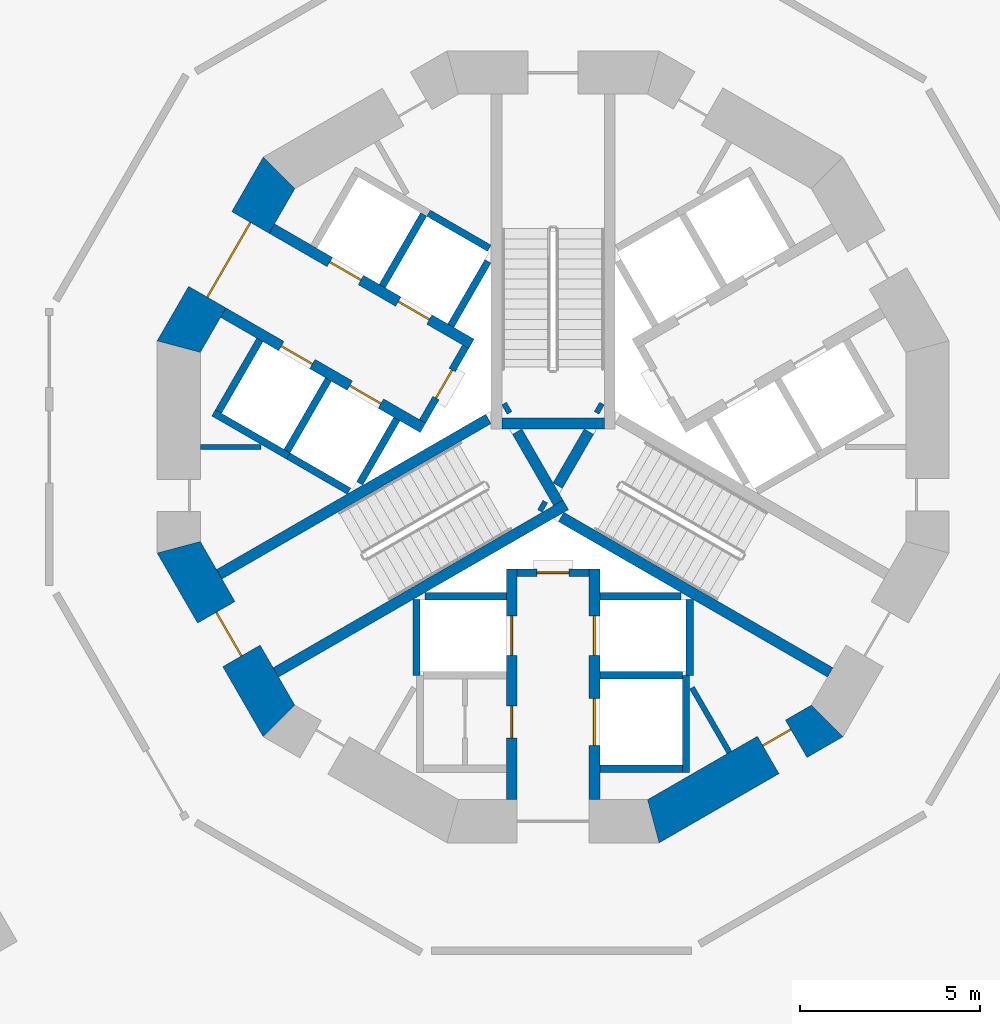
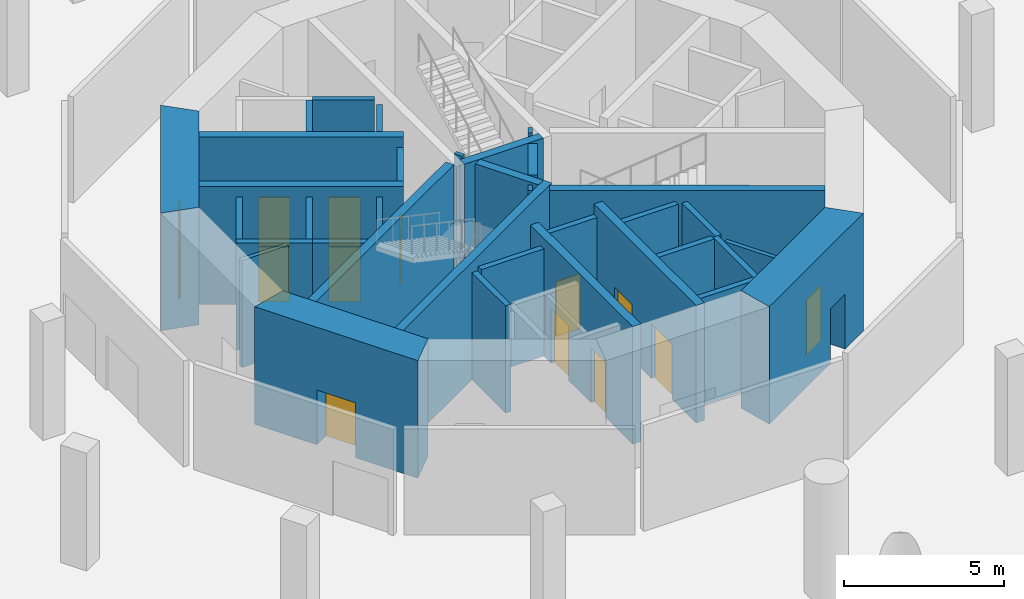
# One storey, part 6 of 21: 35 walls, 13 doors, 13 openings.
"""IFC4 building model written with IfcOpenShell, lengths in metres."""

from ifc_helpers import new_model, si_unit, direction, frame, frame_2d, origin, place, context, subcontext, project, spatial, polyline, rectangle, outline, extrude, material, layer, layer_set, type_object, element, fill, save


model = new_model("IFC4")

# Units and contexts
model_context = context("Model", 3, precision=1e-05, world=origin(), true_north=direction((0.0, 1.0)))
body_context = subcontext(model_context, "Body", "Model", "MODEL_VIEW")
ifc_project = project(units=[si_unit("LENGTHUNIT", "METRE"), si_unit("AREAUNIT", "SQUARE_METRE"), si_unit("VOLUMEUNIT", "CUBIC_METRE"), si_unit("PLANEANGLEUNIT", "RADIAN"), si_unit("MASSUNIT", "GRAM", prefix="KILO")], contexts=[model_context])

# Site, building, storey
site_placement = place(None, origin())
site = spatial("IfcSite", under=ifc_project, at=site_placement, CompositionType="ELEMENT")
building_placement = place(site_placement, origin())
building = spatial("IfcBuilding", under=site, at=building_placement, Name="Trine Commons Tower", CompositionType="ELEMENT")
storey_placement = place(building_placement, frame((0.0, 0.0, -4.5)))
storey = spatial("IfcBuildingStorey", under=building, at=storey_placement, Name="B1", CompositionType="ELEMENT", Elevation=-4.5)

# Walls
ifc_material_1 = material(Name="Plasterboard partition on steel studs", Category="steel")
ifc_layer_1 = layer(ifc_material_1, 0.14990234375)
ifc_layer_set_1 = layer_set([ifc_layer_1], Name="Plasterboard partition on steel studs")
wall_type_1 = type_object("IfcWallType", Name="Core room partition 150 mm, EI 60", PredefinedType="PARTITIONING", material=ifc_layer_set_1)
wall_1_placement = place(storey_placement, frame((70.18798828125, 62.5, 0.0), z_axis=(0.0, 0.0, 1.0), x_axis=(1.0, 0.0, 0.0)))
element("IfcWall", 1, at=wall_1_placement, inside=storey, type_object=wall_type_1, Name="Core room partition B1", PredefinedType="PARTITIONING", context=body_context, shape_type="SweptSolid", body=[
    extrude(rectangle(XDim=1.68310546875, YDim=0.14990234375, at=frame_2d((0.841552734375, 0.0))), origin(), (0.0, 0.0, 1.0), 4.10009765625),
])
wall_2_placement = place(storey_placement, frame((84.905029296875, 54.0029296875, 0.0), z_axis=(0.0, 0.0, 1.0), x_axis=(-0.5000780968, 0.865980309881, 0.0)))
element("IfcWall", 2, at=wall_2_placement, inside=storey, type_object=wall_type_1, Name="Core room partition B1", PredefinedType="PARTITIONING", context=body_context, shape_type="SweptSolid", body=[
    extrude(rectangle(XDim=2.079833984375, YDim=0.14990234375, at=frame_2d((1.0400390625, 0.0))), origin(), (0.0, 0.0, 1.0), 4.10009765625),
])

# Wall, opening, door
ifc_material_2 = material(Name="Fire-rated gypsum shaft wall system")
ifc_layer_2 = layer(ifc_material_2, 0.199951171875)
ifc_layer_set_2 = layer_set([ifc_layer_2], Name="Fire-rated gypsum shaft wall system")
wall_type_2 = type_object("IfcWallType", Name="Lobby end wall 200 mm, EI 120", PredefinedType="PARTITIONING", material=ifc_layer_set_2)
wall_3_placement = place(storey_placement, frame((77.569091796875, 65.2890625, 0.0), z_axis=(0.0, 0.0, 1.0), x_axis=(-0.50012165622, -0.865955154139, 0.0)))
wall_3 = element("IfcWall", 3, at=wall_3_placement, inside=storey, type_object=wall_type_2, Name="Lobby end wall B1", PredefinedType="PARTITIONING", context=body_context, shape_type="SweptSolid", body=[
    extrude(rectangle(XDim=2.39990234375, YDim=0.199951171875, at=frame_2d((1.199951171875, 0.0))), origin(), (0.0, 0.0, 1.0), 4.10009765625),
])
opening_1_placement = place(wall_3_placement, frame((0.749755859375, 0.0, 0.0)))
opening_1 = element("IfcOpeningElement", 4, at=opening_1_placement, cuts=wall_3, Name="Opening K02.07", PredefinedType="OPENING", context=body_context, shape_type="SweptSolid", body=[
    extrude(rectangle(XDim=0.89990234375, YDim=2.10009765625, at=frame_2d((0.449951171875, 1.050048828125))), frame((0.0, 0.10986328125, 0.0), z_axis=(0.0, -1.0, 0.0), x_axis=(1.0, 0.0, 0.0)), (0.0, 0.0, 1.0), 0.219970703125),
])
ifc_material_3 = material(Name="Steel door leaf, fire-rated", Category="steel")
door_type_1 = type_object("IfcDoorType", Name="Riser access door, single leaf 900 x 2100, FD60", OperationType="SINGLE_SWING_LEFT", PredefinedType="DOOR", material=ifc_material_3)
door_1_placement = place(opening_1_placement, frame((0.89990234375, 0.0, 0.0), z_axis=(0.0, 0.0, 1.0), x_axis=(-1.0, 0.0, 0.0)))
door_1 = element("IfcDoor", 5, at=door_1_placement, inside=storey, type_object=door_type_1, Name="Riser door, Mechanical riser B1", OperationType="SINGLE_SWING_RIGHT", OverallHeight=2.10009765625, OverallWidth=0.89990234375, PredefinedType="DOOR", context=body_context, shape_type="SweptSolid", body=[
    extrude(rectangle(XDim=0.89990234375, YDim=2.10009765625, at=frame_2d((0.449951171875, 1.050048828125))), frame((0.0, 0.02490234375, 0.0), z_axis=(0.0, -1.0, 0.0), x_axis=(1.0, 0.0, 0.0)), (0.0, 0.0, 1.0), 0.050048828125),
])
fill(opening_1, door_1)

wall_4_placement = place(storey_placement, frame((79.0, 59.0, 0.0), z_axis=(0.0, 0.0, 1.0), x_axis=(1.0, 0.0, 0.0)))
wall_4 = element("IfcWall", 6, at=wall_4_placement, inside=storey, type_object=wall_type_2, Name="Lobby end wall B1", PredefinedType="PARTITIONING", context=body_context, shape_type="SweptSolid", body=[
    extrude(rectangle(XDim=2.0, YDim=0.199951171875, at=frame_2d((1.0, 0.0))), origin(), (0.0, 0.0, 1.0), 4.10009765625),
])
opening_2_placement = place(wall_4_placement, frame((0.550048828125, 0.0, 0.0)))
opening_2 = element("IfcOpeningElement", 7, at=opening_2_placement, cuts=wall_4, Name="Opening K02.09", PredefinedType="OPENING", context=body_context, shape_type="SweptSolid", body=[
    extrude(rectangle(XDim=0.89990234375, YDim=2.10009765625, at=frame_2d((0.449951171875, 1.050048828125))), frame((0.0, 0.10986328125, 0.0), z_axis=(0.0, -1.0, 0.0), x_axis=(1.0, 0.0, 0.0)), (0.0, 0.0, 1.0), 0.219970703125),
])
door_2_placement = place(opening_2_placement, frame((0.89990234375, 0.0, 0.0), z_axis=(0.0, 0.0, 1.0), x_axis=(-1.0, 0.0, 0.0)))
door_2 = element("IfcDoor", 8, at=door_2_placement, inside=storey, type_object=door_type_1, Name="Riser door, Communications riser B1", OperationType="SINGLE_SWING_RIGHT", OverallHeight=2.10009765625, OverallWidth=0.89990234375, PredefinedType="DOOR", context=body_context, shape_type="SweptSolid", body=[
    extrude(rectangle(XDim=0.89990234375, YDim=2.10009765625, at=frame_2d((0.449951171875, 1.050048828125))), frame((0.0, 0.02490234375, 0.0), z_axis=(0.0, -1.0, 0.0), x_axis=(1.0, 0.0, 0.0)), (0.0, 0.0, 1.0), 0.050048828125),
])
fill(opening_2, door_2)

ifc_material_4 = material(Name="Concrete C80/95", Category="concrete")
ifc_layer_3 = layer(ifc_material_4, 1.199951171875)
ifc_layer_set_3 = layer_set([ifc_layer_3], Name="Concrete C80/95")
wall_type_3 = type_object("IfcWallType", Name="RC shear wall 1200 mm, C80/95", PredefinedType="SHEAR", material=ifc_layer_set_3)
wall_5_placement = place(storey_placement, frame((72.45849609375, 70.260986328125, 0.0), z_axis=(0.0, 0.0, 1.0), x_axis=(-0.499979111662, -0.866037463336, 0.0)))
wall_5 = element("IfcWall", 9, at=wall_5_placement, inside=storey, type_object=wall_type_3, Name="Core wall CWA-06 B1", PredefinedType="SHEAR", context=body_context, shape_type="SweptSolid", body=[
    extrude(outline(polyline([(0.0, -0.60009765625), (5.901123046875, -0.60009765625), (5.57958984375, 0.60009765625), (0.321533203125, 0.60009765625), (0.0, -0.60009765625)])), origin(), (0.0, 0.0, 1.0), 4.5),
])
opening_3_placement = place(wall_5_placement, frame((1.75048828125, 0.0, 0.0)))
opening_3 = element("IfcOpeningElement", 10, at=opening_3_placement, cuts=wall_5, Name="Opening K02.06", PredefinedType="OPENING", context=body_context, shape_type="SweptSolid", body=[
    extrude(rectangle(XDim=2.39990234375, YDim=2.10009765625, at=frame_2d((1.199951171875, 1.050048828125))), frame((0.0, 0.60986328125, 0.0), z_axis=(0.0, -1.0, 0.0), x_axis=(1.0, 0.0, 0.0)), (0.0, 0.0, 1.0), 1.219970703125),
])
ifc_material_5 = material(Name="Steel door leaves, fire-rated", Category="steel")
door_type_2 = type_object("IfcDoorType", Name="Lobby door, double leaf 2400 x 2100, FD60", OperationType="DOUBLE_DOOR_SINGLE_SWING", PredefinedType="DOOR", material=ifc_material_5)
door_3_placement = place(opening_3_placement, origin())
door_3 = element("IfcDoor", 11, at=door_3_placement, inside=storey, type_object=door_type_2, Name="Lobby door, Passenger lift lobby B B1", OperationType="DOUBLE_DOOR_SINGLE_SWING", OverallHeight=2.10009765625, OverallWidth=2.39990234375, PredefinedType="DOOR", context=body_context, shape_type="SweptSolid", body=[
    extrude(rectangle(XDim=2.39990234375, YDim=2.10009765625, at=frame_2d((1.199951171875, 1.050048828125))), frame((0.0, 0.02490234375, 0.0), z_axis=(0.0, -1.0, 0.0), x_axis=(1.0, 0.0, 0.0)), (0.0, 0.0, 1.0), 0.050048828125),
])
fill(opening_3, door_3)

wall_6_placement = place(storey_placement, frame((69.508056640625, 59.849609375, 0.0), z_axis=(0.0, 0.0, 1.0), x_axis=(0.499979111662, -0.866037463336, 0.0)))
wall_6 = element("IfcWall", 12, at=wall_6_placement, inside=storey, type_object=wall_type_3, Name="Core wall CWA-08 B1", PredefinedType="SHEAR", context=body_context, shape_type="SweptSolid", body=[
    extrude(outline(polyline([(0.0, -0.60009765625), (5.901123046875, -0.60009765625), (5.57958984375, 0.60009765625), (0.321533203125, 0.60009765625), (0.0, -0.60009765625)])), origin(), (0.0, 0.0, 1.0), 4.5),
])
opening_4_placement = place(wall_6_placement, frame((2.25048828125, 0.0, 0.0)))
opening_4 = element("IfcOpeningElement", 13, at=opening_4_placement, cuts=wall_6, Name="Opening K02.02", PredefinedType="OPENING", context=body_context, shape_type="SweptSolid", body=[
    extrude(rectangle(XDim=1.39990234375, YDim=2.10009765625, at=frame_2d((0.699951171875, 1.050048828125))), frame((0.0, 0.60986328125, 0.0), z_axis=(0.0, -1.0, 0.0), x_axis=(1.0, 0.0, 0.0)), (0.0, 0.0, 1.0), 1.219970703125),
])
door_type_3 = type_object("IfcDoorType", Name="Stair door, double leaf 1400 x 2100, FD90", OperationType="DOUBLE_DOOR_SINGLE_SWING", PredefinedType="DOOR", material=ifc_material_5)
door_4_placement = place(opening_4_placement, origin())
door_4 = element("IfcDoor", 14, at=door_4_placement, inside=storey, type_object=door_type_3, Name="Stair door to Exit stair ST2A B1", OperationType="DOUBLE_DOOR_SINGLE_SWING", OverallHeight=2.10009765625, OverallWidth=1.39990234375, PredefinedType="DOOR", context=body_context, shape_type="SweptSolid", body=[
    extrude(rectangle(XDim=1.39990234375, YDim=2.10009765625, at=frame_2d((0.699951171875, 1.050048828125))), frame((0.0, 0.02490234375, 0.0), z_axis=(0.0, -1.0, 0.0), x_axis=(1.0, 0.0, 0.0)), (0.0, 0.0, 1.0), 0.050048828125),
])
fill(opening_4, door_4)

wall_7_placement = place(storey_placement, frame((82.650390625, 52.008056640625, 0.0), z_axis=(0.0, 0.0, 1.0), x_axis=(0.866037463336, 0.499979111662, 0.0)))
wall_7 = element("IfcWall", 15, at=wall_7_placement, inside=storey, type_object=wall_type_3, Name="Core wall CWA-11 B1", PredefinedType="SHEAR", context=body_context, shape_type="SweptSolid", body=[
    extrude(outline(polyline([(0.0, -0.60009765625), (5.901123046875, -0.60009765625), (5.57958984375, 0.60009765625), (0.321533203125, 0.60009765625), (0.0, -0.60009765625)])), origin(), (0.0, 0.0, 1.0), 4.5),
])
opening_5_placement = place(wall_7_placement, frame((3.849853515625, 0.0, 0.0)))
opening_5 = element("IfcOpeningElement", 16, at=opening_5_placement, cuts=wall_7, Name="Opening K02.16", PredefinedType="OPENING", context=body_context, shape_type="SweptSolid", body=[
    extrude(rectangle(XDim=0.89990234375, YDim=2.10009765625, at=frame_2d((0.449951171875, 1.050048828125))), frame((0.0, 0.60986328125, 0.0), z_axis=(0.0, -1.0, 0.0), x_axis=(1.0, 0.0, 0.0)), (0.0, 0.0, 1.0), 1.219970703125),
])
door_type_4 = type_object("IfcDoorType", Name="Core room door, single leaf 900 x 2100, FD30S", OperationType="SINGLE_SWING_LEFT", PredefinedType="DOOR", material=ifc_material_3)
door_5_placement = place(opening_5_placement, origin())
door_5 = element("IfcDoor", 17, at=door_5_placement, inside=storey, type_object=door_type_4, Name="Door to Electrical room B1", OperationType="SINGLE_SWING_RIGHT", OverallHeight=2.10009765625, OverallWidth=0.89990234375, PredefinedType="DOOR", context=body_context, shape_type="SweptSolid", body=[
    extrude(rectangle(XDim=0.89990234375, YDim=2.10009765625, at=frame_2d((0.449951171875, 1.050048828125))), frame((0.0, 0.3251953125, 0.0), z_axis=(0.0, -1.0, 0.0), x_axis=(1.0, 0.0, 0.0)), (0.0, 0.0, 1.0), 0.050048828125),
])
fill(opening_5, door_5)

# Wall, openings, doors
ifc_layer_4 = layer(ifc_material_4, 0.300048828125)
ifc_layer_set_4 = layer_set([ifc_layer_4], Name="Concrete C80/95")
wall_type_4 = type_object("IfcWallType", Name="RC shear wall 300 mm, C80/95", PredefinedType="SHEAR", material=ifc_layer_set_4)
wall_8_placement = place(storey_placement, frame((76.381103515625, 63.031005859375, 0.0), z_axis=(0.0, 0.0, 1.0), x_axis=(-0.866032150378, 0.499988314375, 0.0)))
wall_8 = element("IfcWall", 18, at=wall_8_placement, inside=storey, type_object=wall_type_4, Name="Core wall SWA-01 B1", PredefinedType="SHEAR", context=body_context, shape_type="SweptSolid", body=[
    extrude(rectangle(XDim=6.412353515625, YDim=0.300048828125, at=frame_2d((3.2060546875, 0.0))), origin(), (0.0, 0.0, 1.0), 4.5),
])
opening_6_placement = place(wall_8_placement, frame((3.55029296875, 0.0, 0.0)))
opening_6 = element("IfcOpeningElement", 19, at=opening_6_placement, cuts=wall_8, Name="Opening LD3", PredefinedType="OPENING", context=body_context, shape_type="SweptSolid", body=[
    extrude(rectangle(XDim=1.0, YDim=2.10009765625, at=frame_2d((0.5, 1.050048828125))), frame((0.0, 0.159912109375, 0.0), z_axis=(0.0, -1.0, 0.0), x_axis=(1.0, 0.0, 0.0)), (0.0, 0.0, 1.0), 0.320068359375),
])
opening_7_placement = place(wall_8_placement, frame((1.350341796875, 0.0, 0.0)))
opening_7 = element("IfcOpeningElement", 20, at=opening_7_placement, cuts=wall_8, Name="Opening LD7", PredefinedType="OPENING", context=body_context, shape_type="SweptSolid", body=[
    extrude(rectangle(XDim=1.0, YDim=2.10009765625, at=frame_2d((0.5, 1.050048828125))), frame((0.0, 0.159912109375, 0.0), z_axis=(0.0, -1.0, 0.0), x_axis=(1.0, 0.0, 0.0)), (0.0, 0.0, 1.0), 0.320068359375),
])
ifc_material_6 = material(Name="Stainless steel sliding door leaves", Category="steel")
door_type_5 = type_object("IfcDoorType", Name="Lift landing door, centre-opening sliding 1000 x 2100, FD90", OperationType="DOUBLE_DOOR_SLIDING", PredefinedType="DOOR", material=ifc_material_6)
door_6_placement = place(opening_6_placement, origin())
door_6 = element("IfcDoor", 21, at=door_6_placement, inside=storey, type_object=door_type_5, Name="Lift landing door LR3 B1", OperationType="DOUBLE_DOOR_SLIDING", OverallHeight=2.10009765625, OverallWidth=1.0, PredefinedType="DOOR", context=body_context, shape_type="SweptSolid", body=[
    extrude(rectangle(XDim=1.0, YDim=2.10009765625, at=frame_2d((0.5, 1.050048828125))), frame((0.0, 0.02490234375, 0.0), z_axis=(0.0, -1.0, 0.0), x_axis=(1.0, 0.0, 0.0)), (0.0, 0.0, 1.0), 0.050048828125),
])
fill(opening_6, door_6)
door_7_placement = place(opening_7_placement, origin())
door_7 = element("IfcDoor", 22, at=door_7_placement, inside=storey, type_object=door_type_5, Name="Lift landing door HR3 B1", OperationType="DOUBLE_DOOR_SLIDING", OverallHeight=2.10009765625, OverallWidth=1.0, PredefinedType="DOOR", context=body_context, shape_type="SweptSolid", body=[
    extrude(rectangle(XDim=1.0, YDim=2.10009765625, at=frame_2d((0.5, 1.050048828125))), frame((0.0, 0.02490234375, 0.0), z_axis=(0.0, -1.0, 0.0), x_axis=(1.0, 0.0, 0.0)), (0.0, 0.0, 1.0), 0.050048828125),
])
fill(opening_7, door_7)

wall_9_placement = place(storey_placement, frame((77.73095703125, 65.368896484375, 0.0), z_axis=(0.0, 0.0, 1.0), x_axis=(-0.866022631842, 0.500004801114, 0.0)))
wall_9 = element("IfcWall", 23, at=wall_9_placement, inside=storey, type_object=wall_type_4, Name="Core wall SWA-02 B1", PredefinedType="SHEAR", context=body_context, shape_type="SweptSolid", body=[
    extrude(rectangle(XDim=6.412109375, YDim=0.300048828125, at=frame_2d((3.2060546875, 0.0))), origin(), (0.0, 0.0, 1.0), 4.5),
])
opening_8_placement = place(wall_9_placement, frame((3.55029296875, 0.0, 0.0)))
opening_8 = element("IfcOpeningElement", 24, at=opening_8_placement, cuts=wall_9, Name="Opening LD4", PredefinedType="OPENING", context=body_context, shape_type="SweptSolid", body=[
    extrude(rectangle(XDim=1.0, YDim=2.10009765625, at=frame_2d((0.5, 1.050048828125))), frame((0.0, 0.159912109375, 0.0), z_axis=(0.0, -1.0, 0.0), x_axis=(1.0, 0.0, 0.0)), (0.0, 0.0, 1.0), 0.320068359375),
])
opening_9_placement = place(wall_9_placement, frame((1.3505859375, 0.0, 0.0)))
opening_9 = element("IfcOpeningElement", 25, at=opening_9_placement, cuts=wall_9, Name="Opening LD8", PredefinedType="OPENING", context=body_context, shape_type="SweptSolid", body=[
    extrude(rectangle(XDim=1.0, YDim=2.10009765625, at=frame_2d((0.5, 1.050048828125))), frame((0.0, 0.159912109375, 0.0), z_axis=(0.0, -1.0, 0.0), x_axis=(1.0, 0.0, 0.0)), (0.0, 0.0, 1.0), 0.320068359375),
])
door_8_placement = place(opening_8_placement, origin())
door_8 = element("IfcDoor", 26, at=door_8_placement, inside=storey, type_object=door_type_5, Name="Lift landing door LR4 B1", OperationType="DOUBLE_DOOR_SLIDING", OverallHeight=2.10009765625, OverallWidth=1.0, PredefinedType="DOOR", context=body_context, shape_type="SweptSolid", body=[
    extrude(rectangle(XDim=1.0, YDim=2.10009765625, at=frame_2d((0.5, 1.050048828125))), frame((0.0, 0.02490234375, 0.0), z_axis=(0.0, -1.0, 0.0), x_axis=(1.0, 0.0, 0.0)), (0.0, 0.0, 1.0), 0.050048828125),
])
fill(opening_8, door_8)
door_9_placement = place(opening_9_placement, origin())
door_9 = element("IfcDoor", 27, at=door_9_placement, inside=storey, type_object=door_type_5, Name="Lift landing door HR4 B1", OperationType="DOUBLE_DOOR_SLIDING", OverallHeight=2.10009765625, OverallWidth=1.0, PredefinedType="DOOR", context=body_context, shape_type="SweptSolid", body=[
    extrude(rectangle(XDim=1.0, YDim=2.10009765625, at=frame_2d((0.5, 1.050048828125))), frame((0.0, 0.02490234375, 0.0), z_axis=(0.0, -1.0, 0.0), x_axis=(1.0, 0.0, 0.0)), (0.0, 0.0, 1.0), 0.050048828125),
])
fill(opening_9, door_9)

wall_10_placement = place(storey_placement, frame((78.85009765625, 59.10009765625, 0.0), z_axis=(0.0, 0.0, 1.0), x_axis=(0.0, -1.0, 0.0)))
wall_10 = element("IfcWall", 28, at=wall_10_placement, inside=storey, type_object=wall_type_4, Name="Core wall SWA-03 B1", PredefinedType="SHEAR", context=body_context, shape_type="SweptSolid", body=[
    extrude(rectangle(XDim=6.412109375, YDim=0.300048828125, at=frame_2d((3.2060546875, 0.0))), origin(), (0.0, 0.0, 1.0), 4.5),
])
opening_10_placement = place(wall_10_placement, frame((3.800048828125, 0.0, 0.0)))
opening_10 = element("IfcOpeningElement", 29, at=opening_10_placement, cuts=wall_10, Name="Opening K02.10", PredefinedType="OPENING", context=body_context, shape_type="SweptSolid", body=[
    extrude(rectangle(XDim=0.89990234375, YDim=2.10009765625, at=frame_2d((0.449951171875, 1.050048828125))), frame((0.0, 0.159912109375, 0.0), z_axis=(0.0, -1.0, 0.0), x_axis=(1.0, 0.0, 0.0)), (0.0, 0.0, 1.0), 0.320068359375),
])
opening_11_placement = place(wall_10_placement, frame((1.300048828125, 0.0, 0.0)))
opening_11 = element("IfcOpeningElement", 30, at=opening_11_placement, cuts=wall_10, Name="Opening LD10", PredefinedType="OPENING", context=body_context, shape_type="SweptSolid", body=[
    extrude(rectangle(XDim=1.10009765625, YDim=2.10009765625, at=frame_2d((0.550048828125, 1.050048828125))), frame((0.0, 0.159912109375, 0.0), z_axis=(0.0, -1.0, 0.0), x_axis=(1.0, 0.0, 0.0)), (0.0, 0.0, 1.0), 0.320068359375),
])
door_10_placement = place(opening_10_placement, frame((0.89990234375, 0.0, 0.0), z_axis=(0.0, 0.0, 1.0), x_axis=(-1.0, 0.0, 0.0)))
door_10 = element("IfcDoor", 31, at=door_10_placement, inside=storey, type_object=door_type_4, Name="Door to Store B1", OperationType="SINGLE_SWING_RIGHT", OverallHeight=2.10009765625, OverallWidth=0.89990234375, PredefinedType="DOOR", context=body_context, shape_type="SweptSolid", body=[
    extrude(rectangle(XDim=0.89990234375, YDim=2.10009765625, at=frame_2d((0.449951171875, 1.050048828125))), frame((0.0, 0.02490234375, 0.0), z_axis=(0.0, -1.0, 0.0), x_axis=(1.0, 0.0, 0.0)), (0.0, 0.0, 1.0), 0.050048828125),
])
fill(opening_10, door_10)
door_type_6 = type_object("IfcDoorType", Name="Lift landing door, centre-opening sliding 1100 x 2100, FD90", OperationType="DOUBLE_DOOR_SLIDING", PredefinedType="DOOR", material=ifc_material_6)
door_11_placement = place(opening_11_placement, origin())
door_11 = element("IfcDoor", 32, at=door_11_placement, inside=storey, type_object=door_type_6, Name="Lift landing door FF2 B1", OperationType="DOUBLE_DOOR_SLIDING", OverallHeight=2.10009765625, OverallWidth=1.10009765625, PredefinedType="DOOR", context=body_context, shape_type="SweptSolid", body=[
    extrude(rectangle(XDim=1.10009765625, YDim=2.10009765625, at=frame_2d((0.550048828125, 1.050048828125))), frame((0.0, 0.02490234375, 0.0), z_axis=(0.0, -1.0, 0.0), x_axis=(1.0, 0.0, 0.0)), (0.0, 0.0, 1.0), 0.050048828125),
])
fill(opening_11, door_11)

wall_11_placement = place(storey_placement, frame((81.14990234375, 59.10009765625, 0.0), z_axis=(0.0, 0.0, 1.0), x_axis=(0.0, -1.0, 0.0)))
wall_11 = element("IfcWall", 33, at=wall_11_placement, inside=storey, type_object=wall_type_4, Name="Core wall SWA-04 B1", PredefinedType="SHEAR", context=body_context, shape_type="SweptSolid", body=[
    extrude(rectangle(XDim=6.412109375, YDim=0.300048828125, at=frame_2d((3.2060546875, 0.0))), origin(), (0.0, 0.0, 1.0), 4.5),
])
opening_12_placement = place(wall_11_placement, frame((3.60009765625, 0.0, 0.0)))
opening_12 = element("IfcOpeningElement", 34, at=opening_12_placement, cuts=wall_11, Name="Opening LD11", PredefinedType="OPENING", context=body_context, shape_type="SweptSolid", body=[
    extrude(rectangle(XDim=1.300048828125, YDim=2.10009765625, at=frame_2d((0.64990234375, 1.050048828125))), frame((0.0, 0.159912109375, 0.0), z_axis=(0.0, -1.0, 0.0), x_axis=(1.0, 0.0, 0.0)), (0.0, 0.0, 1.0), 0.320068359375),
])
opening_13_placement = place(wall_11_placement, frame((1.300048828125, 0.0, 0.0)))
opening_13 = element("IfcOpeningElement", 35, at=opening_13_placement, cuts=wall_11, Name="Opening LD9", PredefinedType="OPENING", context=body_context, shape_type="SweptSolid", body=[
    extrude(rectangle(XDim=1.10009765625, YDim=2.10009765625, at=frame_2d((0.550048828125, 1.050048828125))), frame((0.0, 0.159912109375, 0.0), z_axis=(0.0, -1.0, 0.0), x_axis=(1.0, 0.0, 0.0)), (0.0, 0.0, 1.0), 0.320068359375),
])
door_12_placement = place(opening_13_placement, origin())
door_12 = element("IfcDoor", 36, at=door_12_placement, inside=storey, type_object=door_type_6, Name="Lift landing door FF1 B1", OperationType="DOUBLE_DOOR_SLIDING", OverallHeight=2.10009765625, OverallWidth=1.10009765625, PredefinedType="DOOR", context=body_context, shape_type="SweptSolid", body=[
    extrude(rectangle(XDim=1.10009765625, YDim=2.10009765625, at=frame_2d((0.550048828125, 1.050048828125))), frame((0.0, 0.02490234375, 0.0), z_axis=(0.0, -1.0, 0.0), x_axis=(1.0, 0.0, 0.0)), (0.0, 0.0, 1.0), 0.050048828125),
])
fill(opening_13, door_12)
door_type_7 = type_object("IfcDoorType", Name="Lift landing door, centre-opening sliding 1300 x 2100, FD90", OperationType="DOUBLE_DOOR_SLIDING", PredefinedType="DOOR", material=ifc_material_6)
door_13_placement = place(opening_12_placement, origin())
door_13 = element("IfcDoor", 37, at=door_13_placement, inside=storey, type_object=door_type_7, Name="Lift landing door G1 B1", OperationType="DOUBLE_DOOR_SLIDING", OverallHeight=2.10009765625, OverallWidth=1.300048828125, PredefinedType="DOOR", context=body_context, shape_type="SweptSolid", body=[
    extrude(rectangle(XDim=1.300048828125, YDim=2.10009765625, at=frame_2d((0.64990234375, 1.050048828125))), frame((0.0, 0.02490234375, 0.0), z_axis=(0.0, -1.0, 0.0), x_axis=(1.0, 0.0, 0.0)), (0.0, 0.0, 1.0), 0.050048828125),
])
fill(opening_12, door_13)

# Walls
wall_12_placement = place(storey_placement, frame((78.199951171875, 63.280029296875, 0.0), z_axis=(0.0, 0.0, 1.0), x_axis=(-0.865965399159, -0.500103916661, 0.0)))
element("IfcWall", 38, at=wall_12_placement, inside=storey, type_object=wall_type_4, Name="Core wall SWA-07 B1", PredefinedType="SHEAR", context=body_context, shape_type="SweptSolid", body=[
    extrude(rectangle(XDim=8.642333984375, YDim=0.300048828125, at=frame_2d((4.3212890625, 0.0))), origin(), (0.0, 0.0, 1.0), 4.5),
])
wall_13_placement = place(storey_placement, frame((78.779052734375, 63.614013671875, 0.0), z_axis=(0.0, 0.0, 1.0), x_axis=(-0.867737973955, -0.497021939713, 0.0)))
element("IfcWall", 39, at=wall_13_placement, inside=storey, type_object=wall_type_4, Name="Core wall SWA-09 B1", PredefinedType="SHEAR", context=body_context, shape_type="SweptSolid", body=[
    extrude(rectangle(XDim=0.14892578125, YDim=0.300048828125, at=frame_2d((0.074462890625, 0.0))), origin(), (0.0, 0.0, 1.0), 4.5),
])
wall_14_placement = place(storey_placement, frame((79.0029296875, 62.926025390625, 0.0), z_axis=(0.0, 0.0, 1.0), x_axis=(0.499965247104, -0.866045467449, 0.0)))
element("IfcWall", 40, at=wall_14_placement, inside=storey, type_object=wall_type_4, Name="Core wall SWA-10 B1", PredefinedType="SHEAR", context=body_context, shape_type="SweptSolid", body=[
    extrude(rectangle(XDim=2.292236328125, YDim=0.300048828125, at=frame_2d((1.14599609375, 0.0))), origin(), (0.0, 0.0, 1.0), 4.5),
])
wall_15_placement = place(storey_placement, frame((79.64599609375, 60.885986328125, 0.0), z_axis=(0.0, 0.0, 1.0), x_axis=(0.867331893649, -0.497730234424, 0.0)))
element("IfcWall", 41, at=wall_15_placement, inside=storey, type_object=wall_type_4, Name="Core wall SWA-11 B1", PredefinedType="SHEAR", context=body_context, shape_type="SweptSolid", body=[
    extrude(rectangle(XDim=0.148681640625, YDim=0.300048828125, at=frame_2d((0.07421875, 0.0))), origin(), (0.0, 0.0, 1.0), 4.5),
])
wall_16_placement = place(storey_placement, frame((80.1298828125, 61.424072265625, 0.0), z_axis=(0.0, 0.0, 1.0), x_axis=(0.500014901547, 0.866016800201, 0.0)))
element("IfcWall", 42, at=wall_16_placement, inside=storey, type_object=wall_type_4, Name="Core wall SWA-12 B1", PredefinedType="SHEAR", context=body_context, shape_type="SweptSolid", body=[
    extrude(rectangle(XDim=1.734375, YDim=0.300048828125, at=frame_2d((0.8671875, 0.0))), origin(), (0.0, 0.0, 1.0), 4.5),
])
wall_17_placement = place(storey_placement, frame((80.22509765625, 60.552001953125, 0.0), z_axis=(0.0, 0.0, 1.0), x_axis=(0.865965399159, -0.500103916661, 0.0)))
element("IfcWall", 43, at=wall_17_placement, inside=storey, type_object=wall_type_4, Name="Core wall SWA-13 B1", PredefinedType="SHEAR", context=body_context, shape_type="SweptSolid", body=[
    extrude(rectangle(XDim=8.642333984375, YDim=0.300048828125, at=frame_2d((4.3212890625, 0.0))), origin(), (0.0, 0.0, 1.0), 4.5),
])
wall_18_placement = place(storey_placement, frame((80.35400390625, 60.885986328125, 0.0), z_axis=(0.0, 0.0, 1.0), x_axis=(-0.865986456211, -0.50006745311, 0.0)))
element("IfcWall", 44, at=wall_18_placement, inside=storey, type_object=wall_type_4, Name="Core wall SWA-14 B1", PredefinedType="SHEAR", context=body_context, shape_type="SweptSolid", body=[
    extrude(rectangle(XDim=9.310791015625, YDim=0.300048828125, at=frame_2d((4.6552734375, 0.0))), origin(), (0.0, 0.0, 1.0), 4.5),
])
wall_19_placement = place(storey_placement, frame((81.220947265625, 63.614013671875, 0.0), z_axis=(0.0, 0.0, 1.0), x_axis=(0.867737973955, -0.497021939713, 0.0)))
element("IfcWall", 45, at=wall_19_placement, inside=storey, type_object=wall_type_4, Name="Core wall SWA-15 B1", PredefinedType="SHEAR", context=body_context, shape_type="SweptSolid", body=[
    extrude(rectangle(XDim=0.14892578125, YDim=0.300048828125, at=frame_2d((0.074462890625, 0.0))), origin(), (0.0, 0.0, 1.0), 4.5),
])
wall_20_placement = place(storey_placement, frame((81.425048828125, 63.15087890625, 0.0), z_axis=(0.0, 0.0, 1.0), x_axis=(-1.0, 0.0, 0.0)))
element("IfcWall", 46, at=wall_20_placement, inside=storey, type_object=wall_type_4, Name="Core wall SWA-16 B1", PredefinedType="SHEAR", context=body_context, shape_type="SweptSolid", body=[
    extrude(rectangle(XDim=2.85009765625, YDim=0.300048828125, at=frame_2d((1.425048828125, 0.0))), origin(), (0.0, 0.0, 1.0), 4.5),
])
ifc_layer_5 = layer(ifc_material_2, 0.199951171875)
ifc_layer_set_5 = layer_set([ifc_layer_5], Name="Fire-rated gypsum shaft wall system")
wall_type_5 = type_object("IfcWallType", Name="Shaft wall 200 mm, EI 120", PredefinedType="PARTITIONING", material=ifc_layer_set_5)
wall_21_placement = place(storey_placement, frame((71.844970703125, 65.47607421875, 0.0), z_axis=(0.0, 0.0, 1.0), x_axis=(-0.500136062276, -0.86594683394, 0.0)))
element("IfcWall", 47, at=wall_21_placement, inside=storey, type_object=wall_type_5, Name="Shaft wall B1", PredefinedType="PARTITIONING", context=body_context, shape_type="SweptSolid", body=[
    extrude(rectangle(XDim=2.299072265625, YDim=0.199951171875, at=frame_2d((1.1494140625, 0.0))), origin(), (0.0, 0.0, 1.0), 4.10009765625),
])
wall_22_placement = place(storey_placement, frame((72.637939453125, 62.248046875, 0.0), z_axis=(0.0, 0.0, 1.0), x_axis=(-0.866177122335, 0.499737123639, 0.0)))
element("IfcWall", 48, at=wall_22_placement, inside=storey, type_object=wall_type_5, Name="Shaft wall B1", PredefinedType="PARTITIONING", context=body_context, shape_type="SweptSolid", body=[
    extrude(rectangle(XDim=2.401123046875, YDim=0.199951171875, at=frame_2d((1.20068359375, 0.0))), origin(), (0.0, 0.0, 1.0), 4.10009765625),
])
wall_23_placement = place(storey_placement, frame((73.7509765625, 64.3759765625, 0.0), z_axis=(0.0, 0.0, 1.0), x_axis=(-0.500136062276, -0.86594683394, 0.0)))
element("IfcWall", 49, at=wall_23_placement, inside=storey, type_object=wall_type_5, Name="Shaft wall B1", PredefinedType="PARTITIONING", context=body_context, shape_type="SweptSolid", body=[
    extrude(rectangle(XDim=2.299072265625, YDim=0.199951171875, at=frame_2d((1.1494140625, 0.0))), origin(), (0.0, 0.0, 1.0), 4.10009765625),
])
wall_24_placement = place(storey_placement, frame((74.324951171875, 61.27294921875, 0.0), z_axis=(0.0, 0.0, 1.0), x_axis=(-0.865780634835, 0.500423712812, 0.0)))
element("IfcWall", 50, at=wall_24_placement, inside=storey, type_object=wall_type_5, Name="Shaft wall B1", PredefinedType="PARTITIONING", context=body_context, shape_type="SweptSolid", body=[
    extrude(rectangle(XDim=1.948486328125, YDim=0.199951171875, at=frame_2d((0.97412109375, 0.0))), origin(), (0.0, 0.0, 1.0), 4.10009765625),
])
wall_25_placement = place(storey_placement, frame((75.2509765625, 66.97412109375, 0.0), z_axis=(0.0, 0.0, 1.0), x_axis=(0.500136062276, 0.86594683394, 0.0)))
element("IfcWall", 51, at=wall_25_placement, inside=storey, type_object=wall_type_5, Name="Shaft wall B1", PredefinedType="PARTITIONING", context=body_context, shape_type="SweptSolid", body=[
    extrude(rectangle(XDim=2.299072265625, YDim=0.199951171875, at=frame_2d((1.1494140625, 0.0))), origin(), (0.0, 0.0, 1.0), 4.10009765625),
])
wall_26_placement = place(storey_placement, frame((75.656005859375, 63.27587890625, 0.0), z_axis=(0.0, 0.0, 1.0), x_axis=(-0.500271688072, -0.86586848777, 0.0)))
element("IfcWall", 52, at=wall_26_placement, inside=storey, type_object=wall_type_5, Name="Shaft wall B1", PredefinedType="PARTITIONING", context=body_context, shape_type="SweptSolid", body=[
    extrude(rectangle(XDim=2.064697265625, YDim=0.199951171875, at=frame_2d((1.0322265625, 0.0))), origin(), (0.0, 0.0, 1.0), 4.10009765625),
])
wall_27_placement = place(storey_placement, frame((76.199951171875, 58.256103515625, 0.0), z_axis=(0.0, 0.0, 1.0), x_axis=(0.0, -1.0, 0.0)))
element("IfcWall", 53, at=wall_27_placement, inside=storey, type_object=wall_type_5, Name="Shaft wall B1", PredefinedType="PARTITIONING", context=body_context, shape_type="SweptSolid", body=[
    extrude(rectangle(XDim=2.106201171875, YDim=0.199951171875, at=frame_2d((1.05322265625, 0.0))), origin(), (0.0, 0.0, 1.0), 4.10009765625),
])
wall_28_placement = place(storey_placement, frame((77.156005859375, 65.8740234375, 0.0), z_axis=(0.0, 0.0, 1.0), x_axis=(0.499865770674, 0.866102887253, 0.0)))
element("IfcWall", 54, at=wall_28_placement, inside=storey, type_object=wall_type_5, Name="Shaft wall B1", PredefinedType="PARTITIONING", context=body_context, shape_type="SweptSolid", body=[
    extrude(rectangle(XDim=2.064453125, YDim=0.199951171875, at=frame_2d((1.0322265625, 0.0))), origin(), (0.0, 0.0, 1.0), 4.10009765625),
])
wall_29_placement = place(storey_placement, frame((78.22509765625, 68.028076171875, 0.0), z_axis=(0.0, 0.0, 1.0), x_axis=(-0.866052014814, 0.499953905513, 0.0)))
element("IfcWall", 55, at=wall_29_placement, inside=storey, type_object=wall_type_5, Name="Shaft wall B1", PredefinedType="PARTITIONING", context=body_context, shape_type="SweptSolid", body=[
    extrude(rectangle(XDim=1.947998046875, YDim=0.199951171875, at=frame_2d((0.97412109375, 0.0))), origin(), (0.0, 0.0, 1.0), 4.10009765625),
])
wall_30_placement = place(storey_placement, frame((78.699951171875, 58.35009765625, 0.0), z_axis=(0.0, 0.0, 1.0), x_axis=(-1.0, 0.0, 0.0)))
element("IfcWall", 56, at=wall_30_placement, inside=storey, type_object=wall_type_5, Name="Shaft wall B1", PredefinedType="PARTITIONING", context=body_context, shape_type="SweptSolid", body=[
    extrude(rectangle(XDim=2.264892578125, YDim=0.199951171875, at=frame_2d((1.13232421875, 0.0))), origin(), (0.0, 0.0, 1.0), 4.10009765625),
])
for number, where, z_axis, x_axis, name in (
    (57, (81.300048828125, 53.550048828125, 0.0), (0.0, 0.0, 1.0), (1.0, 0.0, 0.0), "Shaft wall B1"),
    (58, (81.300048828125, 56.14990234375, 0.0), (0.0, 0.0, 1.0), (1.0, 0.0, 0.0), "Shaft wall B1"),
):
    element("IfcWall", number, at=place(storey_placement, frame(where, z_axis=z_axis, x_axis=x_axis)), inside=storey, type_object=wall_type_5, Name=name, PredefinedType="PARTITIONING", context=body_context, shape_type="SweptSolid", body=[
        extrude(rectangle(XDim=2.300048828125, YDim=0.199951171875, at=frame_2d((1.14990234375, 0.0))), origin(), (0.0, 0.0, 1.0), 4.10009765625),
    ])
wall_31_placement = place(storey_placement, frame((81.300048828125, 58.35009765625, 0.0), z_axis=(0.0, 0.0, 1.0), x_axis=(1.0, 0.0, 0.0)))
element("IfcWall", 59, at=wall_31_placement, inside=storey, type_object=wall_type_5, Name="Shaft wall B1", PredefinedType="PARTITIONING", context=body_context, shape_type="SweptSolid", body=[
    extrude(rectangle(XDim=2.264892578125, YDim=0.199951171875, at=frame_2d((1.13232421875, 0.0))), origin(), (0.0, 0.0, 1.0), 4.10009765625),
])
wall_32_placement = place(storey_placement, frame((83.699951171875, 56.14990234375, 0.0), z_axis=(0.0, 0.0, 1.0), x_axis=(0.0, -1.0, 0.0)))
element("IfcWall", 60, at=wall_32_placement, inside=storey, type_object=wall_type_5, Name="Shaft wall B1", PredefinedType="PARTITIONING", context=body_context, shape_type="SweptSolid", body=[
    extrude(rectangle(XDim=2.699951171875, YDim=0.199951171875, at=frame_2d((1.35009765625, 0.0))), origin(), (0.0, 0.0, 1.0), 4.10009765625),
])
wall_33_placement = place(storey_placement, frame((83.800048828125, 58.256103515625, 0.0), z_axis=(0.0, 0.0, 1.0), x_axis=(0.0, -1.0, 0.0)))
element("IfcWall", 61, at=wall_33_placement, inside=storey, type_object=wall_type_5, Name="Shaft wall B1", PredefinedType="PARTITIONING", context=body_context, shape_type="SweptSolid", body=[
    extrude(rectangle(XDim=2.106201171875, YDim=0.199951171875, at=frame_2d((1.05322265625, 0.0))), origin(), (0.0, 0.0, 1.0), 4.10009765625),
])

save(model, "model.ifc")
